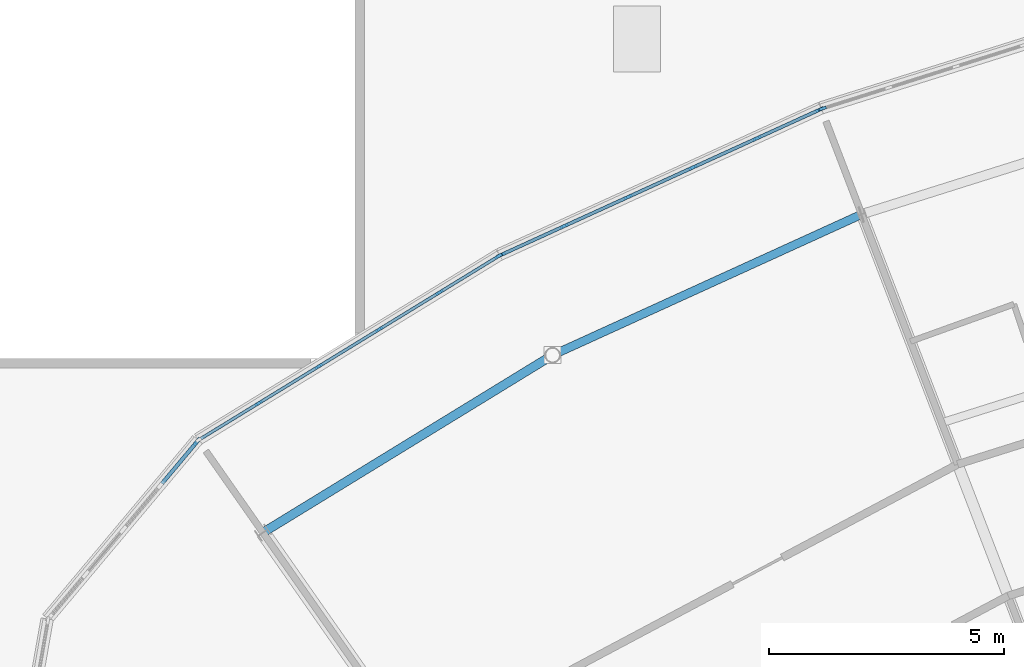
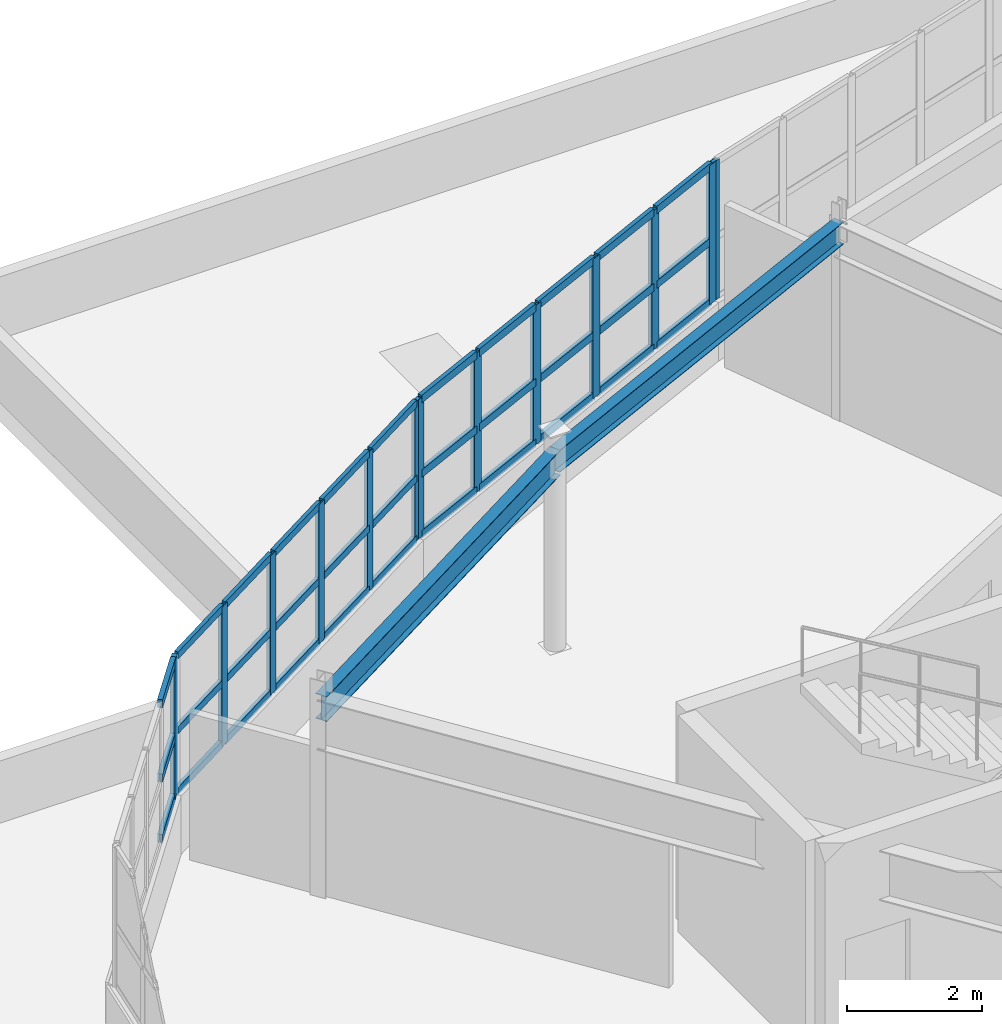
# One storey, part 41 of 128: 46 members, 2 beams, 4 elements without a shape of their own.
"""IFC4 building model written with IfcOpenShell, lengths in metres."""

from ifc_helpers import new_model, si_unit, direction, frame, origin, origin_2d, place, context, subcontext, project, spatial, rectangle, i_section, extrude, material, layer, layer_set, material_profile, profile_set, type_object, element, aggregate, save


model = new_model("IFC4")

# Units and contexts
model_context = context("Model", 3, precision=1e-05, world=origin(), true_north=direction((0.0, 1.0)))
body_context = subcontext(model_context, "Body", "Model", "MODEL_VIEW")
ifc_project = project(units=[si_unit("LENGTHUNIT", "METRE"), si_unit("AREAUNIT", "SQUARE_METRE"), si_unit("VOLUMEUNIT", "CUBIC_METRE"), si_unit("PLANEANGLEUNIT", "RADIAN"), si_unit("MASSUNIT", "GRAM", prefix="KILO")], contexts=[model_context])

# Site, building, storey
site_placement = place(None, origin())
site = spatial("IfcSite", under=ifc_project, at=site_placement, CompositionType="ELEMENT")
building_placement = place(site_placement, origin())
building = spatial("IfcBuilding", under=site, at=building_placement, Name="Tarnwether General Hospital", CompositionType="ELEMENT")
storey_placement = place(building_placement, frame((0.0, 0.0, 14.39990234375)))
storey = spatial("IfcBuildingStorey", under=building, at=storey_placement, Name="L03", CompositionType="ELEMENT", Elevation=14.39990234375)

# Beams
ifc_material_1 = material(Name="Steel Grade 350 (350 MPa)", Category="steel")
ifc_material_profile_1 = material_profile(ifc_material_1, i_section(OverallWidth=0.18994140625, OverallDepth=0.4541015625, WebThickness=0.008544921875, FlangeThickness=0.0126953125, at=origin_2d()), Name="460UB67.1")
ifc_profile_set_1 = profile_set([ifc_material_profile_1], Name="Steel Grade 350 (350 MPa)")
beam_type_1 = type_object("IfcBeamType", Name="BM-SP1", PredefinedType="SPANDREL", material=ifc_profile_set_1)
beam_1_placement = place(storey_placement, frame((58.0439453125, 111.493896484375, 3.3330078125), z_axis=(0.852678430503, 0.522436114902, 0.0), x_axis=(-0.522436114902, 0.852678430503, 0.0)))
element("IfcBeam", 1, at=beam_1_placement, inside=storey, type_object=beam_type_1, Name="Curved Ward NW Outer Spandrel BMG-L03-5804_11149-6421_11527-1923", PredefinedType="SPANDREL", context=body_context, shape_type="SweptSolid", body=[
    extrude(i_section(OverallWidth=0.18994140625, OverallDepth=0.4541015625, WebThickness=0.008544921875, FlangeThickness=0.0126953125, at=origin_2d()), origin(), (0.0, 0.0, 1.0), 7.22802734375),
])
ifc_material_2 = material(Name="Steel Grade 350 (350 MPa)", Category="steel")
ifc_material_profile_2 = material_profile(ifc_material_2, i_section(OverallWidth=0.177978515625, OverallDepth=0.403076171875, WebThickness=0.007568359375, FlangeThickness=0.010986328125, at=origin_2d()), Name="410UB53.7")
ifc_profile_set_2 = profile_set([ifc_material_profile_2], Name="Steel Grade 350 (350 MPa)")
beam_type_2 = type_object("IfcBeamType", Name="BM-SP2", PredefinedType="SPANDREL", material=ifc_profile_set_2)
beam_2_placement = place(storey_placement, frame((64.20703125, 115.27001953125, 3.358642578125), z_axis=(0.909943842177, 0.414731484316, 0.0), x_axis=(-0.414731484316, 0.909943842177, 0.0)))
element("IfcBeam", 2, at=beam_2_placement, inside=storey, type_object=beam_type_2, Name="Curved Ward NW Outer Spandrel BMG-L03-6421_11527-7078_11827-1925", PredefinedType="SPANDREL", context=body_context, shape_type="SweptSolid", body=[
    extrude(i_section(OverallWidth=0.177978515625, OverallDepth=0.403076171875, WebThickness=0.007568359375, FlangeThickness=0.010986328125, at=origin_2d()), origin(), (0.0, 0.0, 1.0), 7.22900390625),
])

# Curtain wall, member
ifc_material_3 = material(Name="Anodised aluminium", Category="aluminium")
ifc_layer_1 = layer(ifc_material_3, 0.159912109375)
ifc_layer_set_1 = layer_set([ifc_layer_1], Name="Anodised aluminium")
curtain_wall_type_1 = type_object("IfcCurtainWallType", Name="CW-01", PredefinedType="NOTDEFINED", material=ifc_layer_set_1)
curtain_wall_1_placement = place(storey_placement, origin())
curtain_wall_1 = element("IfcCurtainWall", 3, at=curtain_wall_1_placement, inside=storey, type_object=curtain_wall_type_1, Name="Curtain Wall CWG-L03-699_1205-0029", PredefinedType="NOTDEFINED")
ifc_material_4 = material(Name="Anodised aluminium", Category="aluminium")
ifc_material_profile_3 = material_profile(ifc_material_4, rectangle(XDim=0.06005859375, YDim=0.159912109375, at=origin_2d()), Name="ALU-MUL-60x160")
ifc_profile_set_3 = profile_set([ifc_material_profile_3], Name="Anodised aluminium")
member_type_1 = type_object("IfcMemberType", Name="CW-ML1", PredefinedType="MULLION", material=ifc_profile_set_3)
member_1_placement = place(storey_placement, frame((69.95361328125, 120.51806640625, 1.050048828125), z_axis=(0.0, 0.0, 1.0), x_axis=(-0.300628613299, 0.953741284032, 0.0)))
member_1 = element("IfcMember", 4, at=member_1_placement, type_object=member_type_1, Name="CW-01 mullion 1", PredefinedType="MULLION", context=body_context, shape_type="SweptSolid", body=[
    extrude(rectangle(XDim=0.06005859375, YDim=0.159912109375, at=origin_2d()), origin(), (0.0, 0.0, 1.0), 2.510009765625),
])
aggregate(curtain_wall_1, [member_1])

# Curtain wall, members
curtain_wall_2_placement = place(storey_placement, origin())
curtain_wall_2 = element("IfcCurtainWall", 5, at=curtain_wall_2_placement, inside=storey, type_object=curtain_wall_type_1, Name="Curtain Wall CWG-L03-631_1174-0030", PredefinedType="NOTDEFINED")
ifc_material_5 = material(Name="Anodised aluminium", Category="aluminium")
ifc_material_profile_4 = material_profile(ifc_material_5, rectangle(XDim=0.070068359375, YDim=0.179931640625, at=origin_2d()), Name="ALU-MUL-70x180")
ifc_profile_set_4 = profile_set([ifc_material_profile_4], Name="Anodised aluminium")
member_type_2 = type_object("IfcMemberType", Name="CW-ML2", PredefinedType="MULLION", material=ifc_profile_set_4)
member_2_placement = place(storey_placement, frame((63.11279296875, 117.404541015625, 1.050048828125), z_axis=(0.0, 0.0, 1.0), x_axis=(-0.414694289316, 0.909960793886, 0.0)))
member_2 = element("IfcMember", 6, at=member_2_placement, type_object=member_type_2, Name="CW-01 mullion 1", PredefinedType="MULLION", context=body_context, shape_type="SweptSolid", body=[
    extrude(rectangle(XDim=0.070068359375, YDim=0.179931640625, at=origin_2d()), origin(), (0.0, 0.0, 1.0), 2.510009765625),
])
member_3_placement = place(storey_placement, frame((64.44970703125, 118.013916015625, 1.050048828125), z_axis=(0.0, 0.0, 1.0), x_axis=(-0.414694289316, 0.909960793886, 0.0)))
member_3 = element("IfcMember", 7, at=member_3_placement, type_object=member_type_2, Name="CW-01 mullion 2", PredefinedType="MULLION", context=body_context, shape_type="SweptSolid", body=[
    extrude(rectangle(XDim=0.070068359375, YDim=0.179931640625, at=origin_2d()), origin(), (0.0, 0.0, 1.0), 2.510009765625),
])
member_4_placement = place(storey_placement, frame((65.818603515625, 118.6376953125, 1.050048828125), z_axis=(0.0, 0.0, 1.0), x_axis=(-0.414694289316, 0.909960793886, 0.0)))
member_4 = element("IfcMember", 8, at=member_4_placement, type_object=member_type_2, Name="CW-01 mullion 3", PredefinedType="MULLION", context=body_context, shape_type="SweptSolid", body=[
    extrude(rectangle(XDim=0.070068359375, YDim=0.179931640625, at=origin_2d()), origin(), (0.0, 0.0, 1.0), 2.510009765625),
])
member_5_placement = place(storey_placement, frame((67.1875, 119.261474609375, 1.050048828125), z_axis=(0.0, 0.0, 1.0), x_axis=(-0.414694289316, 0.909960793886, 0.0)))
member_5 = element("IfcMember", 9, at=member_5_placement, type_object=member_type_2, Name="CW-01 mullion 4", PredefinedType="MULLION", context=body_context, shape_type="SweptSolid", body=[
    extrude(rectangle(XDim=0.070068359375, YDim=0.179931640625, at=origin_2d()), origin(), (0.0, 0.0, 1.0), 2.510009765625),
])
member_6_placement = place(storey_placement, frame((68.55615234375, 119.88525390625, 1.050048828125), z_axis=(0.0, 0.0, 1.0), x_axis=(-0.414694289316, 0.909960793886, 0.0)))
member_6 = element("IfcMember", 10, at=member_6_placement, type_object=member_type_2, Name="CW-01 mullion 5", PredefinedType="MULLION", context=body_context, shape_type="SweptSolid", body=[
    extrude(rectangle(XDim=0.070068359375, YDim=0.179931640625, at=origin_2d()), origin(), (0.0, 0.0, 1.0), 2.510009765625),
])
member_7_placement = place(storey_placement, frame((69.89306640625, 120.494384765625, 1.050048828125), z_axis=(0.0, 0.0, 1.0), x_axis=(-0.414694289316, 0.909960793886, 0.0)))
member_7 = element("IfcMember", 11, at=member_7_placement, type_object=member_type_2, Name="CW-01 mullion 6", PredefinedType="MULLION", context=body_context, shape_type="SweptSolid", body=[
    extrude(rectangle(XDim=0.070068359375, YDim=0.179931640625, at=origin_2d()), origin(), (0.0, 0.0, 1.0), 2.510009765625),
])

curtain_wall_3_placement = place(storey_placement, origin())
curtain_wall_3 = element("IfcCurtainWall", 12, at=curtain_wall_3_placement, inside=storey, type_object=curtain_wall_type_1, Name="Curtain Wall CWG-L03-567_1135-0031", PredefinedType="NOTDEFINED")
ifc_material_6 = material(Name="Anodised aluminium", Category="aluminium")
ifc_material_profile_5 = material_profile(ifc_material_6, rectangle(XDim=0.06494140625, YDim=0.169921875, at=origin_2d()), Name="ALU-MUL-65x170")
ifc_profile_set_5 = profile_set([ifc_material_profile_5], Name="Anodised aluminium")
member_type_3 = type_object("IfcMemberType", Name="CW-ML3", PredefinedType="MULLION", material=ifc_profile_set_5)
member_8_placement = place(storey_placement, frame((57.95068359375, 114.24609375, 1.050048828125), z_axis=(0.0, 0.0, 1.0), x_axis=(-0.522509056361, 0.852633734977, 0.0)))
member_8 = element("IfcMember", 13, at=member_8_placement, type_object=member_type_3, Name="CW-01 mullion 2", PredefinedType="MULLION", context=body_context, shape_type="SweptSolid", body=[
    extrude(rectangle(XDim=0.06494140625, YDim=0.169921875, at=origin_2d()), origin(), (0.0, 0.0, 1.0), 2.510009765625),
])
member_9_placement = place(storey_placement, frame((59.233154296875, 115.031982421875, 1.050048828125), z_axis=(0.0, 0.0, 1.0), x_axis=(-0.522509056361, 0.852633734977, 0.0)))
member_9 = element("IfcMember", 14, at=member_9_placement, type_object=member_type_3, Name="CW-01 mullion 3", PredefinedType="MULLION", context=body_context, shape_type="SweptSolid", body=[
    extrude(rectangle(XDim=0.06494140625, YDim=0.169921875, at=origin_2d()), origin(), (0.0, 0.0, 1.0), 2.510009765625),
])
member_10_placement = place(storey_placement, frame((60.515869140625, 115.818115234375, 1.050048828125), z_axis=(0.0, 0.0, 1.0), x_axis=(-0.522509056361, 0.852633734977, 0.0)))
member_10 = element("IfcMember", 15, at=member_10_placement, type_object=member_type_3, Name="CW-01 mullion 4", PredefinedType="MULLION", context=body_context, shape_type="SweptSolid", body=[
    extrude(rectangle(XDim=0.06494140625, YDim=0.169921875, at=origin_2d()), origin(), (0.0, 0.0, 1.0), 2.510009765625),
])
member_11_placement = place(storey_placement, frame((61.79833984375, 116.60400390625, 1.050048828125), z_axis=(0.0, 0.0, 1.0), x_axis=(-0.522509056361, 0.852633734977, 0.0)))
member_11 = element("IfcMember", 16, at=member_11_placement, type_object=member_type_3, Name="CW-01 mullion 5", PredefinedType="MULLION", context=body_context, shape_type="SweptSolid", body=[
    extrude(rectangle(XDim=0.06494140625, YDim=0.169921875, at=origin_2d()), origin(), (0.0, 0.0, 1.0), 2.510009765625),
])
member_12_placement = place(storey_placement, frame((63.05322265625, 117.373046875, 1.050048828125), z_axis=(0.0, 0.0, 1.0), x_axis=(-0.522509056361, 0.852633734977, 0.0)))
member_12 = element("IfcMember", 17, at=member_12_placement, type_object=member_type_3, Name="CW-01 mullion 6", PredefinedType="MULLION", context=body_context, shape_type="SweptSolid", body=[
    extrude(rectangle(XDim=0.06494140625, YDim=0.169921875, at=origin_2d()), origin(), (0.0, 0.0, 1.0), 2.510009765625),
])

# Curtain wall, member
ifc_material_7 = material(Name="Anodised aluminium", Category="aluminium")
ifc_layer_2 = layer(ifc_material_7, 0.159912109375)
ifc_layer_set_2 = layer_set([ifc_layer_2], Name="Anodised aluminium")
curtain_wall_type_2 = type_object("IfcCurtainWallType", Name="CW-03", PredefinedType="NOTDEFINED", material=ifc_layer_set_2)
curtain_wall_4_placement = place(storey_placement, origin())
curtain_wall_4 = element("IfcCurtainWall", 18, at=curtain_wall_4_placement, inside=storey, type_object=curtain_wall_type_2, Name="Curtain Wall CWG-L03-535_1097-0032", PredefinedType="NOTDEFINED")
ifc_material_8 = material(Name="Anodised aluminium", Category="aluminium")
ifc_material_profile_6 = material_profile(ifc_material_8, rectangle(XDim=0.080078125, YDim=0.199951171875, at=origin_2d()), Name="ALU-MUL-80x200")
ifc_profile_set_6 = profile_set([ifc_material_profile_6], Name="Anodised aluminium")
member_type_4 = type_object("IfcMemberType", Name="CW-ML4", PredefinedType="MULLION", material=ifc_profile_set_6)
member_13_placement = place(storey_placement, frame((56.642333984375, 113.429443359375, 1.050048828125), z_axis=(0.0, 0.0, 1.0), x_axis=(-0.765990176896, 0.64285227611, 0.0)))
member_13 = element("IfcMember", 19, at=member_13_placement, type_object=member_type_4, Name="CW-03 mullion 5", PredefinedType="MULLION", context=body_context, shape_type="SweptSolid", body=[
    extrude(rectangle(XDim=0.080078125, YDim=0.199951171875, at=origin_2d()), origin(), (0.0, 0.0, 1.0), 2.510009765625),
])

# Member
ifc_material_9 = material(Name="Anodised aluminium", Category="aluminium")
ifc_material_profile_7 = material_profile(ifc_material_9, rectangle(XDim=0.070068359375, YDim=0.139892578125, at=origin_2d()), Name="ALU-TRN-70x140")
ifc_profile_set_7 = profile_set([ifc_material_profile_7], Name="Anodised aluminium")
member_type_5 = type_object("IfcMemberType", Name="CW-TR2", PredefinedType="USERDEFINED", material=ifc_profile_set_7)
member_14_placement = place(storey_placement, frame((63.144775390625, 117.4189453125, 1.085205078125), z_axis=(0.909935750091, 0.414749238344, 0.0), x_axis=(-0.414749238344, 0.909935750091, 0.0)))
member_14 = element("IfcMember", 20, at=member_14_placement, type_object=member_type_5, Name="CW-01 transom 1.1", ObjectType="TRANSOM", PredefinedType="USERDEFINED", context=body_context, shape_type="SweptSolid", body=[
    extrude(rectangle(XDim=0.070068359375, YDim=0.139892578125, at=origin_2d()), origin(), (0.0, 0.0, 1.0), 1.399169921875),
])

member_15_placement = place(storey_placement, frame((63.144775390625, 117.4189453125, 2.1796875), z_axis=(0.909935750091, 0.414749238344, 0.0), x_axis=(-0.414749238344, 0.909935750091, 0.0)))
member_15 = element("IfcMember", 21, at=member_15_placement, type_object=member_type_5, Name="CW-01 transom 1.2", ObjectType="TRANSOM", PredefinedType="USERDEFINED", context=body_context, shape_type="SweptSolid", body=[
    extrude(rectangle(XDim=0.070068359375, YDim=0.139892578125, at=origin_2d()), origin(), (0.0, 0.0, 1.0), 1.399169921875),
])

member_16_placement = place(storey_placement, frame((63.144775390625, 117.4189453125, 3.525146484375), z_axis=(0.909935750091, 0.414749238344, 0.0), x_axis=(-0.414749238344, 0.909935750091, 0.0)))
member_16 = element("IfcMember", 22, at=member_16_placement, type_object=member_type_5, Name="CW-01 transom 1.3", ObjectType="TRANSOM", PredefinedType="USERDEFINED", context=body_context, shape_type="SweptSolid", body=[
    extrude(rectangle(XDim=0.070068359375, YDim=0.139892578125, at=origin_2d()), origin(), (0.0, 0.0, 1.0), 1.399169921875),
])

member_17_placement = place(storey_placement, frame((64.481689453125, 118.0283203125, 1.085205078125), z_axis=(0.909981346388, 0.414649188141, 0.0), x_axis=(-0.414649188141, 0.909981346388, 0.0)))
member_17 = element("IfcMember", 23, at=member_17_placement, type_object=member_type_5, Name="CW-01 transom 2.1", ObjectType="TRANSOM", PredefinedType="USERDEFINED", context=body_context, shape_type="SweptSolid", body=[
    extrude(rectangle(XDim=0.070068359375, YDim=0.139892578125, at=origin_2d()), origin(), (0.0, 0.0, 1.0), 1.434326171875),
])

member_18_placement = place(storey_placement, frame((64.481689453125, 118.0283203125, 2.1796875), z_axis=(0.909981346388, 0.414649188141, 0.0), x_axis=(-0.414649188141, 0.909981346388, 0.0)))
member_18 = element("IfcMember", 24, at=member_18_placement, type_object=member_type_5, Name="CW-01 transom 2.2", ObjectType="TRANSOM", PredefinedType="USERDEFINED", context=body_context, shape_type="SweptSolid", body=[
    extrude(rectangle(XDim=0.070068359375, YDim=0.139892578125, at=origin_2d()), origin(), (0.0, 0.0, 1.0), 1.434326171875),
])

member_19_placement = place(storey_placement, frame((64.481689453125, 118.0283203125, 3.525146484375), z_axis=(0.909981346388, 0.414649188141, 0.0), x_axis=(-0.414649188141, 0.909981346388, 0.0)))
member_19 = element("IfcMember", 25, at=member_19_placement, type_object=member_type_5, Name="CW-01 transom 2.3", ObjectType="TRANSOM", PredefinedType="USERDEFINED", context=body_context, shape_type="SweptSolid", body=[
    extrude(rectangle(XDim=0.070068359375, YDim=0.139892578125, at=origin_2d()), origin(), (0.0, 0.0, 1.0), 1.434326171875),
])

member_20_placement = place(storey_placement, frame((65.850341796875, 118.652099609375, 1.085205078125), z_axis=(0.909981346388, 0.414649188141, 0.0), x_axis=(-0.414649188141, 0.909981346388, 0.0)))
member_20 = element("IfcMember", 26, at=member_20_placement, type_object=member_type_5, Name="CW-01 transom 3.1", ObjectType="TRANSOM", PredefinedType="USERDEFINED", context=body_context, shape_type="SweptSolid", body=[
    extrude(rectangle(XDim=0.070068359375, YDim=0.139892578125, at=origin_2d()), origin(), (0.0, 0.0, 1.0), 1.434326171875),
])

member_21_placement = place(storey_placement, frame((65.850341796875, 118.652099609375, 2.1796875), z_axis=(0.909981346388, 0.414649188141, 0.0), x_axis=(-0.414649188141, 0.909981346388, 0.0)))
member_21 = element("IfcMember", 27, at=member_21_placement, type_object=member_type_5, Name="CW-01 transom 3.2", ObjectType="TRANSOM", PredefinedType="USERDEFINED", context=body_context, shape_type="SweptSolid", body=[
    extrude(rectangle(XDim=0.070068359375, YDim=0.139892578125, at=origin_2d()), origin(), (0.0, 0.0, 1.0), 1.434326171875),
])

member_22_placement = place(storey_placement, frame((65.850341796875, 118.652099609375, 3.525146484375), z_axis=(0.909981346388, 0.414649188141, 0.0), x_axis=(-0.414649188141, 0.909981346388, 0.0)))
member_22 = element("IfcMember", 28, at=member_22_placement, type_object=member_type_5, Name="CW-01 transom 3.3", ObjectType="TRANSOM", PredefinedType="USERDEFINED", context=body_context, shape_type="SweptSolid", body=[
    extrude(rectangle(XDim=0.070068359375, YDim=0.139892578125, at=origin_2d()), origin(), (0.0, 0.0, 1.0), 1.434326171875),
])

member_23_placement = place(storey_placement, frame((67.21923828125, 119.27587890625, 1.085205078125), z_axis=(0.909981346388, 0.414649188141, 0.0), x_axis=(-0.414649188141, 0.909981346388, 0.0)))
member_23 = element("IfcMember", 29, at=member_23_placement, type_object=member_type_5, Name="CW-01 transom 4.1", ObjectType="TRANSOM", PredefinedType="USERDEFINED", context=body_context, shape_type="SweptSolid", body=[
    extrude(rectangle(XDim=0.070068359375, YDim=0.139892578125, at=origin_2d()), origin(), (0.0, 0.0, 1.0), 1.434326171875),
])

member_24_placement = place(storey_placement, frame((67.21923828125, 119.27587890625, 2.1796875), z_axis=(0.909981346388, 0.414649188141, 0.0), x_axis=(-0.414649188141, 0.909981346388, 0.0)))
member_24 = element("IfcMember", 30, at=member_24_placement, type_object=member_type_5, Name="CW-01 transom 4.2", ObjectType="TRANSOM", PredefinedType="USERDEFINED", context=body_context, shape_type="SweptSolid", body=[
    extrude(rectangle(XDim=0.070068359375, YDim=0.139892578125, at=origin_2d()), origin(), (0.0, 0.0, 1.0), 1.434326171875),
])

member_25_placement = place(storey_placement, frame((67.21923828125, 119.27587890625, 3.525146484375), z_axis=(0.909981346388, 0.414649188141, 0.0), x_axis=(-0.414649188141, 0.909981346388, 0.0)))
member_25 = element("IfcMember", 31, at=member_25_placement, type_object=member_type_5, Name="CW-01 transom 4.3", ObjectType="TRANSOM", PredefinedType="USERDEFINED", context=body_context, shape_type="SweptSolid", body=[
    extrude(rectangle(XDim=0.070068359375, YDim=0.139892578125, at=origin_2d()), origin(), (0.0, 0.0, 1.0), 1.434326171875),
])

member_26_placement = place(storey_placement, frame((68.588134765625, 119.899658203125, 1.085205078125), z_axis=(0.909935750091, 0.414749238344, 0.0), x_axis=(-0.414749238344, 0.909935750091, 0.0)))
member_26 = element("IfcMember", 32, at=member_26_placement, type_object=member_type_5, Name="CW-01 transom 5.1", ObjectType="TRANSOM", PredefinedType="USERDEFINED", context=body_context, shape_type="SweptSolid", body=[
    extrude(rectangle(XDim=0.070068359375, YDim=0.139892578125, at=origin_2d()), origin(), (0.0, 0.0, 1.0), 1.399169921875),
])

member_27_placement = place(storey_placement, frame((68.588134765625, 119.899658203125, 2.1796875), z_axis=(0.909935750091, 0.414749238344, 0.0), x_axis=(-0.414749238344, 0.909935750091, 0.0)))
member_27 = element("IfcMember", 33, at=member_27_placement, type_object=member_type_5, Name="CW-01 transom 5.2", ObjectType="TRANSOM", PredefinedType="USERDEFINED", context=body_context, shape_type="SweptSolid", body=[
    extrude(rectangle(XDim=0.070068359375, YDim=0.139892578125, at=origin_2d()), origin(), (0.0, 0.0, 1.0), 1.399169921875),
])

member_28_placement = place(storey_placement, frame((68.588134765625, 119.899658203125, 3.525146484375), z_axis=(0.909935750091, 0.414749238344, 0.0), x_axis=(-0.414749238344, 0.909935750091, 0.0)))
member_28 = element("IfcMember", 34, at=member_28_placement, type_object=member_type_5, Name="CW-01 transom 5.3", ObjectType="TRANSOM", PredefinedType="USERDEFINED", context=body_context, shape_type="SweptSolid", body=[
    extrude(rectangle(XDim=0.070068359375, YDim=0.139892578125, at=origin_2d()), origin(), (0.0, 0.0, 1.0), 1.399169921875),
])

aggregate(curtain_wall_2, [member_2, member_3, member_4, member_5, member_6, member_7, member_14, member_15, member_16, member_17, member_18, member_19, member_20, member_21, member_22, member_23, member_24, member_25, member_26, member_27, member_28])

ifc_material_10 = material(Name="Anodised aluminium", Category="aluminium")
ifc_material_profile_8 = material_profile(ifc_material_10, rectangle(XDim=0.06494140625, YDim=0.1298828125, at=origin_2d()), Name="ALU-TRN-65x130")
ifc_profile_set_8 = profile_set([ifc_material_profile_8], Name="Anodised aluminium")
member_type_6 = type_object("IfcMemberType", Name="CW-TR3", PredefinedType="USERDEFINED", material=ifc_profile_set_8)
member_29_placement = place(storey_placement, frame((56.723388671875, 113.493896484375, 1.08251953125), z_axis=(0.852616217182, 0.522537640939, 0.0), x_axis=(-0.522537640939, 0.852616217182, 0.0)))
member_29 = element("IfcMember", 35, at=member_29_placement, type_object=member_type_6, Name="CW-01 transom 1.1", ObjectType="TRANSOM", PredefinedType="USERDEFINED", context=body_context, shape_type="SweptSolid", body=[
    extrude(rectangle(XDim=0.06494140625, YDim=0.1298828125, at=origin_2d()), origin(), (0.0, 0.0, 1.0), 1.40673828125),
])

member_30_placement = place(storey_placement, frame((56.723388671875, 113.493896484375, 2.1796875), z_axis=(0.852616217182, 0.522537640939, 0.0), x_axis=(-0.522537640939, 0.852616217182, 0.0)))
member_30 = element("IfcMember", 36, at=member_30_placement, type_object=member_type_6, Name="CW-01 transom 1.2", ObjectType="TRANSOM", PredefinedType="USERDEFINED", context=body_context, shape_type="SweptSolid", body=[
    extrude(rectangle(XDim=0.06494140625, YDim=0.1298828125, at=origin_2d()), origin(), (0.0, 0.0, 1.0), 1.40673828125),
])

member_31_placement = place(storey_placement, frame((56.723388671875, 113.493896484375, 3.527587890625), z_axis=(0.852616217182, 0.522537640939, 0.0), x_axis=(-0.522537640939, 0.852616217182, 0.0)))
member_31 = element("IfcMember", 37, at=member_31_placement, type_object=member_type_6, Name="CW-01 transom 1.3", ObjectType="TRANSOM", PredefinedType="USERDEFINED", context=body_context, shape_type="SweptSolid", body=[
    extrude(rectangle(XDim=0.06494140625, YDim=0.1298828125, at=origin_2d()), origin(), (0.0, 0.0, 1.0), 1.40673828125),
])

member_32_placement = place(storey_placement, frame((57.978271484375, 114.262939453125, 1.08251953125), z_axis=(0.852606127566, 0.522554103646, 0.0), x_axis=(-0.522554103646, 0.852606127566, 0.0)))
member_32 = element("IfcMember", 38, at=member_32_placement, type_object=member_type_6, Name="CW-01 transom 2.1", ObjectType="TRANSOM", PredefinedType="USERDEFINED", context=body_context, shape_type="SweptSolid", body=[
    extrude(rectangle(XDim=0.06494140625, YDim=0.1298828125, at=origin_2d()), origin(), (0.0, 0.0, 1.0), 1.439453125),
])

member_33_placement = place(storey_placement, frame((57.978271484375, 114.262939453125, 2.1796875), z_axis=(0.852606127566, 0.522554103646, 0.0), x_axis=(-0.522554103646, 0.852606127566, 0.0)))
member_33 = element("IfcMember", 39, at=member_33_placement, type_object=member_type_6, Name="CW-01 transom 2.2", ObjectType="TRANSOM", PredefinedType="USERDEFINED", context=body_context, shape_type="SweptSolid", body=[
    extrude(rectangle(XDim=0.06494140625, YDim=0.1298828125, at=origin_2d()), origin(), (0.0, 0.0, 1.0), 1.439453125),
])

member_34_placement = place(storey_placement, frame((57.978271484375, 114.262939453125, 3.527587890625), z_axis=(0.852606127566, 0.522554103646, 0.0), x_axis=(-0.522554103646, 0.852606127566, 0.0)))
member_34 = element("IfcMember", 40, at=member_34_placement, type_object=member_type_6, Name="CW-01 transom 2.3", ObjectType="TRANSOM", PredefinedType="USERDEFINED", context=body_context, shape_type="SweptSolid", body=[
    extrude(rectangle(XDim=0.06494140625, YDim=0.1298828125, at=origin_2d()), origin(), (0.0, 0.0, 1.0), 1.439453125),
])

member_35_placement = place(storey_placement, frame((59.260986328125, 115.049072265625, 1.08251953125), z_axis=(0.852635384896, 0.522506364003, 0.0), x_axis=(-0.522506364003, 0.852635384896, 0.0)))
member_35 = element("IfcMember", 41, at=member_35_placement, type_object=member_type_6, Name="CW-01 transom 3.1", ObjectType="TRANSOM", PredefinedType="USERDEFINED", context=body_context, shape_type="SweptSolid", body=[
    extrude(rectangle(XDim=0.06494140625, YDim=0.1298828125, at=origin_2d()), origin(), (0.0, 0.0, 1.0), 1.439208984375),
])

member_36_placement = place(storey_placement, frame((59.260986328125, 115.049072265625, 2.1796875), z_axis=(0.852635384896, 0.522506364003, 0.0), x_axis=(-0.522506364003, 0.852635384896, 0.0)))
member_36 = element("IfcMember", 42, at=member_36_placement, type_object=member_type_6, Name="CW-01 transom 3.2", ObjectType="TRANSOM", PredefinedType="USERDEFINED", context=body_context, shape_type="SweptSolid", body=[
    extrude(rectangle(XDim=0.06494140625, YDim=0.1298828125, at=origin_2d()), origin(), (0.0, 0.0, 1.0), 1.439208984375),
])

member_37_placement = place(storey_placement, frame((59.260986328125, 115.049072265625, 3.527587890625), z_axis=(0.852635384896, 0.522506364003, 0.0), x_axis=(-0.522506364003, 0.852635384896, 0.0)))
member_37 = element("IfcMember", 43, at=member_37_placement, type_object=member_type_6, Name="CW-01 transom 3.3", ObjectType="TRANSOM", PredefinedType="USERDEFINED", context=body_context, shape_type="SweptSolid", body=[
    extrude(rectangle(XDim=0.06494140625, YDim=0.1298828125, at=origin_2d()), origin(), (0.0, 0.0, 1.0), 1.439208984375),
])

member_38_placement = place(storey_placement, frame((60.54345703125, 115.8349609375, 1.08251953125), z_axis=(0.852681690101, 0.52243079481, 0.0), x_axis=(-0.52243079481, 0.852681690101, 0.0)))
member_38 = element("IfcMember", 44, at=member_38_placement, type_object=member_type_6, Name="CW-01 transom 4.1", ObjectType="TRANSOM", PredefinedType="USERDEFINED", context=body_context, shape_type="SweptSolid", body=[
    extrude(rectangle(XDim=0.06494140625, YDim=0.1298828125, at=origin_2d()), origin(), (0.0, 0.0, 1.0), 1.439453125),
])

member_39_placement = place(storey_placement, frame((60.54345703125, 115.8349609375, 2.1796875), z_axis=(0.852681690101, 0.52243079481, 0.0), x_axis=(-0.52243079481, 0.852681690101, 0.0)))
member_39 = element("IfcMember", 45, at=member_39_placement, type_object=member_type_6, Name="CW-01 transom 4.2", ObjectType="TRANSOM", PredefinedType="USERDEFINED", context=body_context, shape_type="SweptSolid", body=[
    extrude(rectangle(XDim=0.06494140625, YDim=0.1298828125, at=origin_2d()), origin(), (0.0, 0.0, 1.0), 1.439453125),
])

member_40_placement = place(storey_placement, frame((60.54345703125, 115.8349609375, 3.527587890625), z_axis=(0.852681690101, 0.52243079481, 0.0), x_axis=(-0.52243079481, 0.852681690101, 0.0)))
member_40 = element("IfcMember", 46, at=member_40_placement, type_object=member_type_6, Name="CW-01 transom 4.3", ObjectType="TRANSOM", PredefinedType="USERDEFINED", context=body_context, shape_type="SweptSolid", body=[
    extrude(rectangle(XDim=0.06494140625, YDim=0.1298828125, at=origin_2d()), origin(), (0.0, 0.0, 1.0), 1.439453125),
])

member_41_placement = place(storey_placement, frame((61.826171875, 116.62109375, 1.08251953125), z_axis=(0.852693532392, 0.522411466008, 0.0), x_axis=(-0.522411466008, 0.852693532392, 0.0)))
member_41 = element("IfcMember", 47, at=member_41_placement, type_object=member_type_6, Name="CW-01 transom 5.1", ObjectType="TRANSOM", PredefinedType="USERDEFINED", context=body_context, shape_type="SweptSolid", body=[
    extrude(rectangle(XDim=0.06494140625, YDim=0.1298828125, at=origin_2d()), origin(), (0.0, 0.0, 1.0), 1.40673828125),
])

member_42_placement = place(storey_placement, frame((61.826171875, 116.62109375, 2.1796875), z_axis=(0.852693532392, 0.522411466008, 0.0), x_axis=(-0.522411466008, 0.852693532392, 0.0)))
member_42 = element("IfcMember", 48, at=member_42_placement, type_object=member_type_6, Name="CW-01 transom 5.2", ObjectType="TRANSOM", PredefinedType="USERDEFINED", context=body_context, shape_type="SweptSolid", body=[
    extrude(rectangle(XDim=0.06494140625, YDim=0.1298828125, at=origin_2d()), origin(), (0.0, 0.0, 1.0), 1.40673828125),
])

member_43_placement = place(storey_placement, frame((61.826171875, 116.62109375, 3.527587890625), z_axis=(0.852693532392, 0.522411466008, 0.0), x_axis=(-0.522411466008, 0.852693532392, 0.0)))
member_43 = element("IfcMember", 49, at=member_43_placement, type_object=member_type_6, Name="CW-01 transom 5.3", ObjectType="TRANSOM", PredefinedType="USERDEFINED", context=body_context, shape_type="SweptSolid", body=[
    extrude(rectangle(XDim=0.06494140625, YDim=0.1298828125, at=origin_2d()), origin(), (0.0, 0.0, 1.0), 1.40673828125),
])

aggregate(curtain_wall_3, [member_8, member_9, member_10, member_11, member_12, member_29, member_30, member_31, member_32, member_33, member_34, member_35, member_36, member_37, member_38, member_39, member_40, member_41, member_42, member_43])

ifc_material_11 = material(Name="Anodised aluminium", Category="aluminium")
ifc_material_profile_9 = material_profile(ifc_material_11, rectangle(XDim=0.080078125, YDim=0.14990234375, at=origin_2d()), Name="ALU-TRN-80x150")
ifc_profile_set_9 = profile_set([ifc_material_profile_9], Name="Anodised aluminium")
member_type_7 = type_object("IfcMemberType", Name="CW-TR4", PredefinedType="USERDEFINED", material=ifc_profile_set_9)
member_44_placement = place(storey_placement, frame((55.89501953125, 112.538818359375, 1.090087890625), z_axis=(0.642748180301, 0.766077526572, 0.0), x_axis=(-0.766077526572, 0.642748180301, 0.0)))
member_44 = element("IfcMember", 50, at=member_44_placement, type_object=member_type_7, Name="CW-03 transom 4.1", ObjectType="TRANSOM", PredefinedType="USERDEFINED", context=body_context, shape_type="SweptSolid", body=[
    extrude(rectangle(XDim=0.080078125, YDim=0.14990234375, at=origin_2d()), origin(), (0.0, 0.0, 1.0), 1.122314453125),
])

member_45_placement = place(storey_placement, frame((55.89501953125, 112.538818359375, 2.1796875), z_axis=(0.642748180301, 0.766077526572, 0.0), x_axis=(-0.766077526572, 0.642748180301, 0.0)))
member_45 = element("IfcMember", 51, at=member_45_placement, type_object=member_type_7, Name="CW-03 transom 4.2", ObjectType="TRANSOM", PredefinedType="USERDEFINED", context=body_context, shape_type="SweptSolid", body=[
    extrude(rectangle(XDim=0.080078125, YDim=0.14990234375, at=origin_2d()), origin(), (0.0, 0.0, 1.0), 1.122314453125),
])

member_46_placement = place(storey_placement, frame((55.89501953125, 112.538818359375, 3.52001953125), z_axis=(0.642748180301, 0.766077526572, 0.0), x_axis=(-0.766077526572, 0.642748180301, 0.0)))
member_46 = element("IfcMember", 52, at=member_46_placement, type_object=member_type_7, Name="CW-03 transom 4.3", ObjectType="TRANSOM", PredefinedType="USERDEFINED", context=body_context, shape_type="SweptSolid", body=[
    extrude(rectangle(XDim=0.080078125, YDim=0.14990234375, at=origin_2d()), origin(), (0.0, 0.0, 1.0), 1.122314453125),
])

aggregate(curtain_wall_4, [member_13, member_44, member_45, member_46])

save(model, "model.ifc")
